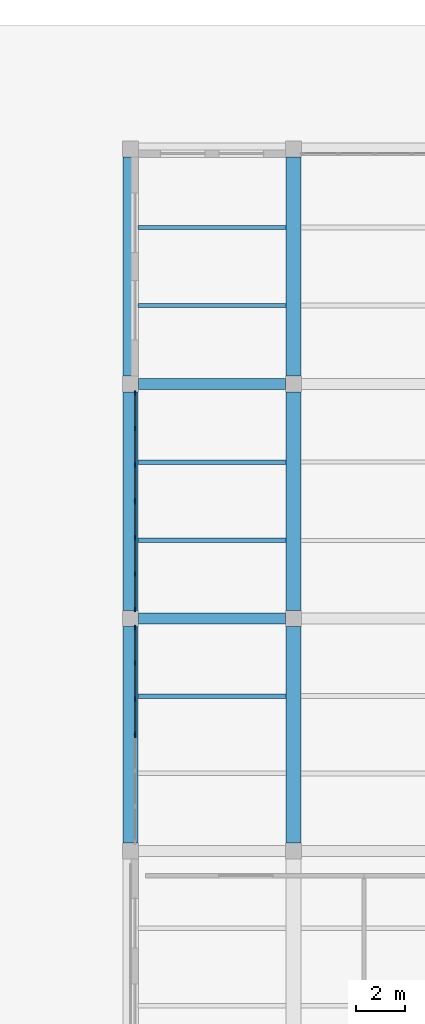
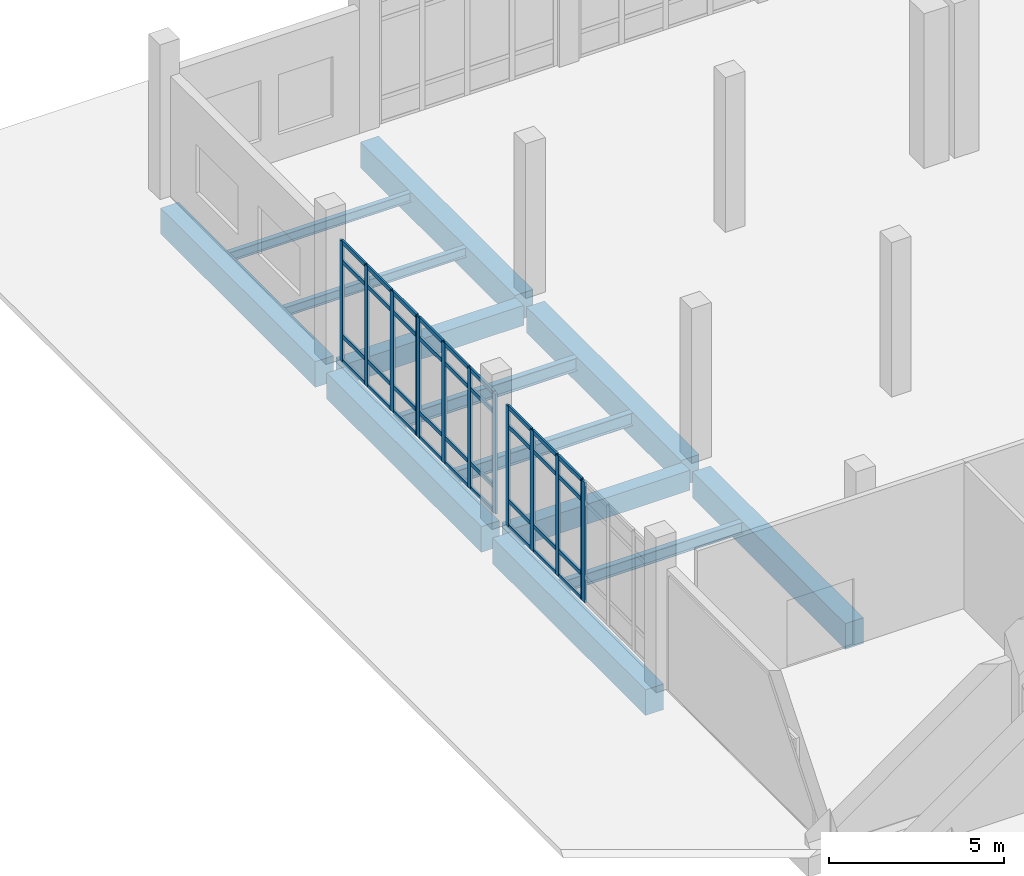
# One storey, part 30 of 79: 49 members, 13 beams, 4 elements without a shape of their own.
"""IFC4 building model written with IfcOpenShell, lengths in metres."""

from ifc_helpers import new_model, si_unit, direction, frame, origin, origin_2d, place, context, subcontext, project, spatial, rectangle, i_section, extrude, material, layer, layer_set, material_profile, profile_set, type_object, element, aggregate, save


model = new_model("IFC4")

# Units and contexts
model_context = context("Model", 3, precision=1e-05, world=origin(), true_north=direction((0.0, 1.0)))
body_context = subcontext(model_context, "Body", "Model", "MODEL_VIEW")
ifc_project = project(units=[si_unit("LENGTHUNIT", "METRE"), si_unit("AREAUNIT", "SQUARE_METRE"), si_unit("VOLUMEUNIT", "CUBIC_METRE"), si_unit("PLANEANGLEUNIT", "RADIAN"), si_unit("MASSUNIT", "GRAM", prefix="KILO")], contexts=[model_context])

# Site, building, storey
site_placement = place(None, origin())
site = spatial("IfcSite", under=ifc_project, at=site_placement, CompositionType="ELEMENT")
building_placement = place(site_placement, origin())
building = spatial("IfcBuilding", under=site, at=building_placement, Name="Kelarvand Opera House", CompositionType="ELEMENT")
storey_placement = place(building_placement, origin())
storey = spatial("IfcBuildingStorey", under=building, at=storey_placement, Name="L00", CompositionType="ELEMENT", Elevation=0.0)

# Curtain wall, member
ifc_material_1 = material(Name="Thermally broken aluminium and low-E glazing", Category="aluminium")
ifc_layer_1 = layer(ifc_material_1, 0.179931640625, Name="Thermally broken aluminium and low-E glazing", Category="aluminium")
ifc_layer_set_1 = layer_set([ifc_layer_1], Name="Thermally broken aluminium and low-E glazing")
curtain_wall_type_1 = type_object("IfcCurtainWallType", Name="Unitised Low-E Curtain Wall 4361x4200 Mod 1450 CWF-38", PredefinedType="USERDEFINED", material=ifc_layer_set_1)
curtain_wall_1_placement = place(storey_placement, origin())
curtain_wall_1 = element("IfcCurtainWall", 1, at=curtain_wall_1_placement, inside=storey, type_object=curtain_wall_type_1, Name="V5 L00 Curtain Wall CWF-38 (170)", ObjectType="UNITISED CURTAIN WALL", PredefinedType="USERDEFINED")
ifc_material_2 = material(Name="Thermally broken anodised aluminium", Category="aluminium")
ifc_material_profile_1 = material_profile(ifc_material_2, rectangle(XDim=0.06494140625, YDim=0.179931640625, at=origin_2d()), Name="ALU MULLION 65x180", Category="aluminium")
ifc_profile_set_1 = profile_set([ifc_material_profile_1], Name="Thermally broken anodised aluminium")
member_type_1 = type_object("IfcMemberType", Name="Curtain Wall Mullion 65x180 Aluminium", PredefinedType="MULLION", material=ifc_profile_set_1)
member_1_placement = place(storey_placement, frame((95.780029296875, 101.263427734375, 0.0), z_axis=(0.0, 0.0, 1.0), x_axis=(-1.0, 0.0, 0.0)))
member_1 = element("IfcMember", 2, at=member_1_placement, type_object=member_type_1, Name="CWF-38 mullion 4", PredefinedType="MULLION", context=body_context, shape_type="SweptSolid", body=[
    extrude(rectangle(XDim=0.06494140625, YDim=0.179931640625, at=origin_2d()), origin(), (0.0, 0.0, 1.0), 4.199951171875),
])
aggregate(curtain_wall_1, [member_1])

# Curtain wall, members
curtain_wall_2_placement = place(storey_placement, origin())
curtain_wall_2 = element("IfcCurtainWall", 3, at=curtain_wall_2_placement, inside=storey, type_object=curtain_wall_type_1, Name="V5 L00 Curtain Wall CWF-38 (171)", ObjectType="UNITISED CURTAIN WALL", PredefinedType="USERDEFINED")
member_2_placement = place(storey_placement, frame((95.780029296875, 101.33251953125, 0.0), z_axis=(0.0, 0.0, 1.0), x_axis=(-1.0, 0.0, 0.0)))
member_2 = element("IfcMember", 4, at=member_2_placement, type_object=member_type_1, Name="CWF-38 mullion 1", PredefinedType="MULLION", context=body_context, shape_type="SweptSolid", body=[
    extrude(rectangle(XDim=0.06494140625, YDim=0.179931640625, at=origin_2d()), origin(), (0.0, 0.0, 1.0), 4.199951171875),
])
member_3_placement = place(storey_placement, frame((95.780029296875, 102.7548828125, 0.0), z_axis=(0.0, 0.0, 1.0), x_axis=(-1.0, 0.0, 0.0)))
member_3 = element("IfcMember", 5, at=member_3_placement, type_object=member_type_1, Name="CWF-38 mullion 2", PredefinedType="MULLION", context=body_context, shape_type="SweptSolid", body=[
    extrude(rectangle(XDim=0.06494140625, YDim=0.179931640625, at=origin_2d()), origin(), (0.0, 0.0, 1.0), 4.199951171875),
])
member_4_placement = place(storey_placement, frame((95.780029296875, 104.2099609375, 0.0), z_axis=(0.0, 0.0, 1.0), x_axis=(-1.0, 0.0, 0.0)))
member_4 = element("IfcMember", 6, at=member_4_placement, type_object=member_type_1, Name="CWF-38 mullion 3", PredefinedType="MULLION", context=body_context, shape_type="SweptSolid", body=[
    extrude(rectangle(XDim=0.06494140625, YDim=0.179931640625, at=origin_2d()), origin(), (0.0, 0.0, 1.0), 4.199951171875),
])
member_5_placement = place(storey_placement, frame((95.780029296875, 105.632568359375, 0.0), z_axis=(0.0, 0.0, 1.0), x_axis=(-1.0, 0.0, 0.0)))
member_5 = element("IfcMember", 7, at=member_5_placement, type_object=member_type_1, Name="CWF-38 mullion 4", PredefinedType="MULLION", context=body_context, shape_type="SweptSolid", body=[
    extrude(rectangle(XDim=0.06494140625, YDim=0.179931640625, at=origin_2d()), origin(), (0.0, 0.0, 1.0), 4.199951171875),
])

ifc_layer_2 = layer(ifc_material_1, 0.179931640625, Name="Thermally broken aluminium and low-E glazing", Category="aluminium")
ifc_layer_set_2 = layer_set([ifc_layer_2], Name="Thermally broken aluminium and low-E glazing")
curtain_wall_type_2 = type_object("IfcCurtainWallType", Name="Unitised Low-E Curtain Wall 4411x4200 Mod 1450 CWF-37", PredefinedType="USERDEFINED", material=ifc_layer_set_2)
curtain_wall_3_placement = place(storey_placement, origin())
curtain_wall_3 = element("IfcCurtainWall", 8, at=curtain_wall_3_placement, inside=storey, type_object=curtain_wall_type_2, Name="V5 L00 Curtain Wall CWF-37 (172)", ObjectType="UNITISED CURTAIN WALL", PredefinedType="USERDEFINED")
member_6_placement = place(storey_placement, frame((95.780029296875, 106.367431640625, 0.0), z_axis=(0.0, 0.0, 1.0), x_axis=(-1.0, 0.0, 0.0)))
member_6 = element("IfcMember", 9, at=member_6_placement, type_object=member_type_1, Name="CWF-37 mullion 1", PredefinedType="MULLION", context=body_context, shape_type="SweptSolid", body=[
    extrude(rectangle(XDim=0.06494140625, YDim=0.179931640625, at=origin_2d()), origin(), (0.0, 0.0, 1.0), 4.199951171875),
])
member_7_placement = place(storey_placement, frame((95.780029296875, 107.805419921875, 0.0), z_axis=(0.0, 0.0, 1.0), x_axis=(-1.0, 0.0, 0.0)))
member_7 = element("IfcMember", 10, at=member_7_placement, type_object=member_type_1, Name="CWF-37 mullion 2", PredefinedType="MULLION", context=body_context, shape_type="SweptSolid", body=[
    extrude(rectangle(XDim=0.06494140625, YDim=0.179931640625, at=origin_2d()), origin(), (0.0, 0.0, 1.0), 4.199951171875),
])
member_8_placement = place(storey_placement, frame((95.780029296875, 109.275634765625, 0.0), z_axis=(0.0, 0.0, 1.0), x_axis=(-1.0, 0.0, 0.0)))
member_8 = element("IfcMember", 11, at=member_8_placement, type_object=member_type_1, Name="CWF-37 mullion 3", PredefinedType="MULLION", context=body_context, shape_type="SweptSolid", body=[
    extrude(rectangle(XDim=0.06494140625, YDim=0.179931640625, at=origin_2d()), origin(), (0.0, 0.0, 1.0), 4.199951171875),
])
member_9_placement = place(storey_placement, frame((95.780029296875, 110.71337890625, 0.0), z_axis=(0.0, 0.0, 1.0), x_axis=(-1.0, 0.0, 0.0)))
member_9 = element("IfcMember", 12, at=member_9_placement, type_object=member_type_1, Name="CWF-37 mullion 4", PredefinedType="MULLION", context=body_context, shape_type="SweptSolid", body=[
    extrude(rectangle(XDim=0.06494140625, YDim=0.179931640625, at=origin_2d()), origin(), (0.0, 0.0, 1.0), 4.199951171875),
])

curtain_wall_4_placement = place(storey_placement, origin())
curtain_wall_4 = element("IfcCurtainWall", 13, at=curtain_wall_4_placement, inside=storey, type_object=curtain_wall_type_2, Name="V5 L00 Curtain Wall CWF-37 (173)", ObjectType="UNITISED CURTAIN WALL", PredefinedType="USERDEFINED")
member_10_placement = place(storey_placement, frame((95.780029296875, 110.782470703125, 0.0), z_axis=(0.0, 0.0, 1.0), x_axis=(-1.0, 0.0, 0.0)))
member_10 = element("IfcMember", 14, at=member_10_placement, type_object=member_type_1, Name="CWF-37 mullion 1", PredefinedType="MULLION", context=body_context, shape_type="SweptSolid", body=[
    extrude(rectangle(XDim=0.06494140625, YDim=0.179931640625, at=origin_2d()), origin(), (0.0, 0.0, 1.0), 4.199951171875),
])
member_11_placement = place(storey_placement, frame((95.780029296875, 112.2216796875, 0.0), z_axis=(0.0, 0.0, 1.0), x_axis=(-1.0, 0.0, 0.0)))
member_11 = element("IfcMember", 15, at=member_11_placement, type_object=member_type_1, Name="CWF-37 mullion 2", PredefinedType="MULLION", context=body_context, shape_type="SweptSolid", body=[
    extrude(rectangle(XDim=0.06494140625, YDim=0.179931640625, at=origin_2d()), origin(), (0.0, 0.0, 1.0), 4.199951171875),
])
member_12_placement = place(storey_placement, frame((95.780029296875, 113.693359375, 0.0), z_axis=(0.0, 0.0, 1.0), x_axis=(-1.0, 0.0, 0.0)))
member_12 = element("IfcMember", 16, at=member_12_placement, type_object=member_type_1, Name="CWF-37 mullion 3", PredefinedType="MULLION", context=body_context, shape_type="SweptSolid", body=[
    extrude(rectangle(XDim=0.06494140625, YDim=0.179931640625, at=origin_2d()), origin(), (0.0, 0.0, 1.0), 4.199951171875),
])
member_13_placement = place(storey_placement, frame((95.780029296875, 115.132568359375, 0.0), z_axis=(0.0, 0.0, 1.0), x_axis=(-1.0, 0.0, 0.0)))
member_13 = element("IfcMember", 17, at=member_13_placement, type_object=member_type_1, Name="CWF-37 mullion 4", PredefinedType="MULLION", context=body_context, shape_type="SweptSolid", body=[
    extrude(rectangle(XDim=0.06494140625, YDim=0.179931640625, at=origin_2d()), origin(), (0.0, 0.0, 1.0), 4.199951171875),
])

# Member
ifc_material_profile_2 = material_profile(ifc_material_2, rectangle(XDim=0.06494140625, YDim=0.139892578125, at=origin_2d()), Name="ALU TRANSOM 65x140", Category="aluminium")
ifc_profile_set_2 = profile_set([ifc_material_profile_2], Name="Thermally broken anodised aluminium")
member_type_2 = type_object("IfcMemberType", Name="Curtain Wall Transom 65x140 Aluminium", PredefinedType="USERDEFINED", material=ifc_profile_set_2)
member_14_placement = place(storey_placement, frame((95.780029296875, 101.364990234375, 0.032470703125), z_axis=(0.0, 1.0, 0.0), x_axis=(-1.0, 0.0, 0.0)))
member_14 = element("IfcMember", 18, at=member_14_placement, type_object=member_type_2, Name="CWF-38 transom 1.1", ObjectType="TRANSOM", PredefinedType="USERDEFINED", context=body_context, shape_type="SweptSolid", body=[
    extrude(rectangle(XDim=0.06494140625, YDim=0.139892578125, at=origin_2d()), origin(), (0.0, 0.0, 1.0), 1.357421875),
])

member_15_placement = place(storey_placement, frame((95.780029296875, 101.364990234375, 0.89990234375), z_axis=(0.0, 1.0, 0.0), x_axis=(-1.0, 0.0, 0.0)))
member_15 = element("IfcMember", 19, at=member_15_placement, type_object=member_type_2, Name="CWF-38 transom 1.2", ObjectType="TRANSOM", PredefinedType="USERDEFINED", context=body_context, shape_type="SweptSolid", body=[
    extrude(rectangle(XDim=0.06494140625, YDim=0.139892578125, at=origin_2d()), origin(), (0.0, 0.0, 1.0), 1.357421875),
])

member_16_placement = place(storey_placement, frame((95.780029296875, 101.364990234375, 3.5), z_axis=(0.0, 1.0, 0.0), x_axis=(-1.0, 0.0, 0.0)))
member_16 = element("IfcMember", 20, at=member_16_placement, type_object=member_type_2, Name="CWF-38 transom 1.3", ObjectType="TRANSOM", PredefinedType="USERDEFINED", context=body_context, shape_type="SweptSolid", body=[
    extrude(rectangle(XDim=0.06494140625, YDim=0.139892578125, at=origin_2d()), origin(), (0.0, 0.0, 1.0), 1.357421875),
])

member_17_placement = place(storey_placement, frame((95.780029296875, 101.364990234375, 4.16748046875), z_axis=(0.0, 1.0, 0.0), x_axis=(-1.0, 0.0, 0.0)))
member_17 = element("IfcMember", 21, at=member_17_placement, type_object=member_type_2, Name="CWF-38 transom 1.4", ObjectType="TRANSOM", PredefinedType="USERDEFINED", context=body_context, shape_type="SweptSolid", body=[
    extrude(rectangle(XDim=0.06494140625, YDim=0.139892578125, at=origin_2d()), origin(), (0.0, 0.0, 1.0), 1.357421875),
])

member_18_placement = place(storey_placement, frame((95.780029296875, 102.78759765625, 0.032470703125), z_axis=(0.0, 1.0, 0.0), x_axis=(-1.0, 0.0, 0.0)))
member_18 = element("IfcMember", 22, at=member_18_placement, type_object=member_type_2, Name="CWF-38 transom 2.1", ObjectType="TRANSOM", PredefinedType="USERDEFINED", context=body_context, shape_type="SweptSolid", body=[
    extrude(rectangle(XDim=0.06494140625, YDim=0.139892578125, at=origin_2d()), origin(), (0.0, 0.0, 1.0), 1.389892578125),
])

member_19_placement = place(storey_placement, frame((95.780029296875, 102.78759765625, 0.89990234375), z_axis=(0.0, 1.0, 0.0), x_axis=(-1.0, 0.0, 0.0)))
member_19 = element("IfcMember", 23, at=member_19_placement, type_object=member_type_2, Name="CWF-38 transom 2.2", ObjectType="TRANSOM", PredefinedType="USERDEFINED", context=body_context, shape_type="SweptSolid", body=[
    extrude(rectangle(XDim=0.06494140625, YDim=0.139892578125, at=origin_2d()), origin(), (0.0, 0.0, 1.0), 1.389892578125),
])

member_20_placement = place(storey_placement, frame((95.780029296875, 102.78759765625, 3.5), z_axis=(0.0, 1.0, 0.0), x_axis=(-1.0, 0.0, 0.0)))
member_20 = element("IfcMember", 24, at=member_20_placement, type_object=member_type_2, Name="CWF-38 transom 2.3", ObjectType="TRANSOM", PredefinedType="USERDEFINED", context=body_context, shape_type="SweptSolid", body=[
    extrude(rectangle(XDim=0.06494140625, YDim=0.139892578125, at=origin_2d()), origin(), (0.0, 0.0, 1.0), 1.389892578125),
])

member_21_placement = place(storey_placement, frame((95.780029296875, 102.78759765625, 4.16748046875), z_axis=(0.0, 1.0, 0.0), x_axis=(-1.0, 0.0, 0.0)))
member_21 = element("IfcMember", 25, at=member_21_placement, type_object=member_type_2, Name="CWF-38 transom 2.4", ObjectType="TRANSOM", PredefinedType="USERDEFINED", context=body_context, shape_type="SweptSolid", body=[
    extrude(rectangle(XDim=0.06494140625, YDim=0.139892578125, at=origin_2d()), origin(), (0.0, 0.0, 1.0), 1.389892578125),
])

member_22_placement = place(storey_placement, frame((95.780029296875, 104.242431640625, 0.032470703125), z_axis=(0.0, 1.0, 0.0), x_axis=(-1.0, 0.0, 0.0)))
member_22 = element("IfcMember", 26, at=member_22_placement, type_object=member_type_2, Name="CWF-38 transom 3.1", ObjectType="TRANSOM", PredefinedType="USERDEFINED", context=body_context, shape_type="SweptSolid", body=[
    extrude(rectangle(XDim=0.06494140625, YDim=0.139892578125, at=origin_2d()), origin(), (0.0, 0.0, 1.0), 1.357666015625),
])

member_23_placement = place(storey_placement, frame((95.780029296875, 104.242431640625, 0.89990234375), z_axis=(0.0, 1.0, 0.0), x_axis=(-1.0, 0.0, 0.0)))
member_23 = element("IfcMember", 27, at=member_23_placement, type_object=member_type_2, Name="CWF-38 transom 3.2", ObjectType="TRANSOM", PredefinedType="USERDEFINED", context=body_context, shape_type="SweptSolid", body=[
    extrude(rectangle(XDim=0.06494140625, YDim=0.139892578125, at=origin_2d()), origin(), (0.0, 0.0, 1.0), 1.357666015625),
])

member_24_placement = place(storey_placement, frame((95.780029296875, 104.242431640625, 3.5), z_axis=(0.0, 1.0, 0.0), x_axis=(-1.0, 0.0, 0.0)))
member_24 = element("IfcMember", 28, at=member_24_placement, type_object=member_type_2, Name="CWF-38 transom 3.3", ObjectType="TRANSOM", PredefinedType="USERDEFINED", context=body_context, shape_type="SweptSolid", body=[
    extrude(rectangle(XDim=0.06494140625, YDim=0.139892578125, at=origin_2d()), origin(), (0.0, 0.0, 1.0), 1.357666015625),
])

member_25_placement = place(storey_placement, frame((95.780029296875, 104.242431640625, 4.16748046875), z_axis=(0.0, 1.0, 0.0), x_axis=(-1.0, 0.0, 0.0)))
member_25 = element("IfcMember", 29, at=member_25_placement, type_object=member_type_2, Name="CWF-38 transom 3.4", ObjectType="TRANSOM", PredefinedType="USERDEFINED", context=body_context, shape_type="SweptSolid", body=[
    extrude(rectangle(XDim=0.06494140625, YDim=0.139892578125, at=origin_2d()), origin(), (0.0, 0.0, 1.0), 1.357666015625),
])

aggregate(curtain_wall_2, [member_2, member_3, member_4, member_5, member_14, member_15, member_16, member_17, member_18, member_19, member_20, member_21, member_22, member_23, member_24, member_25])

member_26_placement = place(storey_placement, frame((95.780029296875, 106.39990234375, 0.032470703125), z_axis=(0.0, 1.0, 0.0), x_axis=(-1.0, 0.0, 0.0)))
member_26 = element("IfcMember", 30, at=member_26_placement, type_object=member_type_2, Name="CWF-37 transom 1.1", ObjectType="TRANSOM", PredefinedType="USERDEFINED", context=body_context, shape_type="SweptSolid", body=[
    extrude(rectangle(XDim=0.06494140625, YDim=0.139892578125, at=origin_2d()), origin(), (0.0, 0.0, 1.0), 1.373046875),
])

member_27_placement = place(storey_placement, frame((95.780029296875, 106.39990234375, 0.89990234375), z_axis=(0.0, 1.0, 0.0), x_axis=(-1.0, 0.0, 0.0)))
member_27 = element("IfcMember", 31, at=member_27_placement, type_object=member_type_2, Name="CWF-37 transom 1.2", ObjectType="TRANSOM", PredefinedType="USERDEFINED", context=body_context, shape_type="SweptSolid", body=[
    extrude(rectangle(XDim=0.06494140625, YDim=0.139892578125, at=origin_2d()), origin(), (0.0, 0.0, 1.0), 1.373046875),
])

member_28_placement = place(storey_placement, frame((95.780029296875, 106.39990234375, 3.5), z_axis=(0.0, 1.0, 0.0), x_axis=(-1.0, 0.0, 0.0)))
member_28 = element("IfcMember", 32, at=member_28_placement, type_object=member_type_2, Name="CWF-37 transom 1.3", ObjectType="TRANSOM", PredefinedType="USERDEFINED", context=body_context, shape_type="SweptSolid", body=[
    extrude(rectangle(XDim=0.06494140625, YDim=0.139892578125, at=origin_2d()), origin(), (0.0, 0.0, 1.0), 1.373046875),
])

member_29_placement = place(storey_placement, frame((95.780029296875, 106.39990234375, 4.16748046875), z_axis=(0.0, 1.0, 0.0), x_axis=(-1.0, 0.0, 0.0)))
member_29 = element("IfcMember", 33, at=member_29_placement, type_object=member_type_2, Name="CWF-37 transom 1.4", ObjectType="TRANSOM", PredefinedType="USERDEFINED", context=body_context, shape_type="SweptSolid", body=[
    extrude(rectangle(XDim=0.06494140625, YDim=0.139892578125, at=origin_2d()), origin(), (0.0, 0.0, 1.0), 1.373046875),
])

member_30_placement = place(storey_placement, frame((95.780029296875, 107.837890625, 0.032470703125), z_axis=(0.0, 1.0, 0.0), x_axis=(-1.0, 0.0, 0.0)))
member_30 = element("IfcMember", 34, at=member_30_placement, type_object=member_type_2, Name="CWF-37 transom 2.1", ObjectType="TRANSOM", PredefinedType="USERDEFINED", context=body_context, shape_type="SweptSolid", body=[
    extrude(rectangle(XDim=0.06494140625, YDim=0.139892578125, at=origin_2d()), origin(), (0.0, 0.0, 1.0), 1.4052734375),
])

member_31_placement = place(storey_placement, frame((95.780029296875, 107.837890625, 0.89990234375), z_axis=(0.0, 1.0, 0.0), x_axis=(-1.0, 0.0, 0.0)))
member_31 = element("IfcMember", 35, at=member_31_placement, type_object=member_type_2, Name="CWF-37 transom 2.2", ObjectType="TRANSOM", PredefinedType="USERDEFINED", context=body_context, shape_type="SweptSolid", body=[
    extrude(rectangle(XDim=0.06494140625, YDim=0.139892578125, at=origin_2d()), origin(), (0.0, 0.0, 1.0), 1.4052734375),
])

member_32_placement = place(storey_placement, frame((95.780029296875, 107.837890625, 3.5), z_axis=(0.0, 1.0, 0.0), x_axis=(-1.0, 0.0, 0.0)))
member_32 = element("IfcMember", 36, at=member_32_placement, type_object=member_type_2, Name="CWF-37 transom 2.3", ObjectType="TRANSOM", PredefinedType="USERDEFINED", context=body_context, shape_type="SweptSolid", body=[
    extrude(rectangle(XDim=0.06494140625, YDim=0.139892578125, at=origin_2d()), origin(), (0.0, 0.0, 1.0), 1.4052734375),
])

member_33_placement = place(storey_placement, frame((95.780029296875, 107.837890625, 4.16748046875), z_axis=(0.0, 1.0, 0.0), x_axis=(-1.0, 0.0, 0.0)))
member_33 = element("IfcMember", 37, at=member_33_placement, type_object=member_type_2, Name="CWF-37 transom 2.4", ObjectType="TRANSOM", PredefinedType="USERDEFINED", context=body_context, shape_type="SweptSolid", body=[
    extrude(rectangle(XDim=0.06494140625, YDim=0.139892578125, at=origin_2d()), origin(), (0.0, 0.0, 1.0), 1.4052734375),
])

member_34_placement = place(storey_placement, frame((95.780029296875, 109.30810546875, 0.032470703125), z_axis=(0.0, 1.0, 0.0), x_axis=(-1.0, 0.0, 0.0)))
member_34 = element("IfcMember", 38, at=member_34_placement, type_object=member_type_2, Name="CWF-37 transom 3.1", ObjectType="TRANSOM", PredefinedType="USERDEFINED", context=body_context, shape_type="SweptSolid", body=[
    extrude(rectangle(XDim=0.06494140625, YDim=0.139892578125, at=origin_2d()), origin(), (0.0, 0.0, 1.0), 1.372802734375),
])

member_35_placement = place(storey_placement, frame((95.780029296875, 109.30810546875, 0.89990234375), z_axis=(0.0, 1.0, 0.0), x_axis=(-1.0, 0.0, 0.0)))
member_35 = element("IfcMember", 39, at=member_35_placement, type_object=member_type_2, Name="CWF-37 transom 3.2", ObjectType="TRANSOM", PredefinedType="USERDEFINED", context=body_context, shape_type="SweptSolid", body=[
    extrude(rectangle(XDim=0.06494140625, YDim=0.139892578125, at=origin_2d()), origin(), (0.0, 0.0, 1.0), 1.372802734375),
])

member_36_placement = place(storey_placement, frame((95.780029296875, 109.30810546875, 3.5), z_axis=(0.0, 1.0, 0.0), x_axis=(-1.0, 0.0, 0.0)))
member_36 = element("IfcMember", 40, at=member_36_placement, type_object=member_type_2, Name="CWF-37 transom 3.3", ObjectType="TRANSOM", PredefinedType="USERDEFINED", context=body_context, shape_type="SweptSolid", body=[
    extrude(rectangle(XDim=0.06494140625, YDim=0.139892578125, at=origin_2d()), origin(), (0.0, 0.0, 1.0), 1.372802734375),
])

member_37_placement = place(storey_placement, frame((95.780029296875, 109.30810546875, 4.16748046875), z_axis=(0.0, 1.0, 0.0), x_axis=(-1.0, 0.0, 0.0)))
member_37 = element("IfcMember", 41, at=member_37_placement, type_object=member_type_2, Name="CWF-37 transom 3.4", ObjectType="TRANSOM", PredefinedType="USERDEFINED", context=body_context, shape_type="SweptSolid", body=[
    extrude(rectangle(XDim=0.06494140625, YDim=0.139892578125, at=origin_2d()), origin(), (0.0, 0.0, 1.0), 1.372802734375),
])

aggregate(curtain_wall_3, [member_6, member_7, member_8, member_9, member_26, member_27, member_28, member_29, member_30, member_31, member_32, member_33, member_34, member_35, member_36, member_37])

member_38_placement = place(storey_placement, frame((95.780029296875, 110.81494140625, 0.032470703125), z_axis=(0.0, 1.0, 0.0), x_axis=(-1.0, 0.0, 0.0)))
member_38 = element("IfcMember", 42, at=member_38_placement, type_object=member_type_2, Name="CWF-37 transom 1.1", ObjectType="TRANSOM", PredefinedType="USERDEFINED", context=body_context, shape_type="SweptSolid", body=[
    extrude(rectangle(XDim=0.06494140625, YDim=0.139892578125, at=origin_2d()), origin(), (0.0, 0.0, 1.0), 1.374267578125),
])

member_39_placement = place(storey_placement, frame((95.780029296875, 110.81494140625, 0.89990234375), z_axis=(0.0, 1.0, 0.0), x_axis=(-1.0, 0.0, 0.0)))
member_39 = element("IfcMember", 43, at=member_39_placement, type_object=member_type_2, Name="CWF-37 transom 1.2", ObjectType="TRANSOM", PredefinedType="USERDEFINED", context=body_context, shape_type="SweptSolid", body=[
    extrude(rectangle(XDim=0.06494140625, YDim=0.139892578125, at=origin_2d()), origin(), (0.0, 0.0, 1.0), 1.374267578125),
])

member_40_placement = place(storey_placement, frame((95.780029296875, 110.81494140625, 3.5), z_axis=(0.0, 1.0, 0.0), x_axis=(-1.0, 0.0, 0.0)))
member_40 = element("IfcMember", 44, at=member_40_placement, type_object=member_type_2, Name="CWF-37 transom 1.3", ObjectType="TRANSOM", PredefinedType="USERDEFINED", context=body_context, shape_type="SweptSolid", body=[
    extrude(rectangle(XDim=0.06494140625, YDim=0.139892578125, at=origin_2d()), origin(), (0.0, 0.0, 1.0), 1.374267578125),
])

member_41_placement = place(storey_placement, frame((95.780029296875, 110.81494140625, 4.16748046875), z_axis=(0.0, 1.0, 0.0), x_axis=(-1.0, 0.0, 0.0)))
member_41 = element("IfcMember", 45, at=member_41_placement, type_object=member_type_2, Name="CWF-37 transom 1.4", ObjectType="TRANSOM", PredefinedType="USERDEFINED", context=body_context, shape_type="SweptSolid", body=[
    extrude(rectangle(XDim=0.06494140625, YDim=0.139892578125, at=origin_2d()), origin(), (0.0, 0.0, 1.0), 1.374267578125),
])

member_42_placement = place(storey_placement, frame((95.780029296875, 112.254150390625, 0.032470703125), z_axis=(0.0, 1.0, 0.0), x_axis=(-1.0, 0.0, 0.0)))
member_42 = element("IfcMember", 46, at=member_42_placement, type_object=member_type_2, Name="CWF-37 transom 2.1", ObjectType="TRANSOM", PredefinedType="USERDEFINED", context=body_context, shape_type="SweptSolid", body=[
    extrude(rectangle(XDim=0.06494140625, YDim=0.139892578125, at=origin_2d()), origin(), (0.0, 0.0, 1.0), 1.40673828125),
])

member_43_placement = place(storey_placement, frame((95.780029296875, 112.254150390625, 0.89990234375), z_axis=(0.0, 1.0, 0.0), x_axis=(-1.0, 0.0, 0.0)))
member_43 = element("IfcMember", 47, at=member_43_placement, type_object=member_type_2, Name="CWF-37 transom 2.2", ObjectType="TRANSOM", PredefinedType="USERDEFINED", context=body_context, shape_type="SweptSolid", body=[
    extrude(rectangle(XDim=0.06494140625, YDim=0.139892578125, at=origin_2d()), origin(), (0.0, 0.0, 1.0), 1.40673828125),
])

member_44_placement = place(storey_placement, frame((95.780029296875, 112.254150390625, 3.5), z_axis=(0.0, 1.0, 0.0), x_axis=(-1.0, 0.0, 0.0)))
member_44 = element("IfcMember", 48, at=member_44_placement, type_object=member_type_2, Name="CWF-37 transom 2.3", ObjectType="TRANSOM", PredefinedType="USERDEFINED", context=body_context, shape_type="SweptSolid", body=[
    extrude(rectangle(XDim=0.06494140625, YDim=0.139892578125, at=origin_2d()), origin(), (0.0, 0.0, 1.0), 1.40673828125),
])

member_45_placement = place(storey_placement, frame((95.780029296875, 112.254150390625, 4.16748046875), z_axis=(0.0, 1.0, 0.0), x_axis=(-1.0, 0.0, 0.0)))
member_45 = element("IfcMember", 49, at=member_45_placement, type_object=member_type_2, Name="CWF-37 transom 2.4", ObjectType="TRANSOM", PredefinedType="USERDEFINED", context=body_context, shape_type="SweptSolid", body=[
    extrude(rectangle(XDim=0.06494140625, YDim=0.139892578125, at=origin_2d()), origin(), (0.0, 0.0, 1.0), 1.40673828125),
])

member_46_placement = place(storey_placement, frame((95.780029296875, 113.725830078125, 0.032470703125), z_axis=(0.0, 1.0, 0.0), x_axis=(-1.0, 0.0, 0.0)))
member_46 = element("IfcMember", 50, at=member_46_placement, type_object=member_type_2, Name="CWF-37 transom 3.1", ObjectType="TRANSOM", PredefinedType="USERDEFINED", context=body_context, shape_type="SweptSolid", body=[
    extrude(rectangle(XDim=0.06494140625, YDim=0.139892578125, at=origin_2d()), origin(), (0.0, 0.0, 1.0), 1.374267578125),
])

member_47_placement = place(storey_placement, frame((95.780029296875, 113.725830078125, 0.89990234375), z_axis=(0.0, 1.0, 0.0), x_axis=(-1.0, 0.0, 0.0)))
member_47 = element("IfcMember", 51, at=member_47_placement, type_object=member_type_2, Name="CWF-37 transom 3.2", ObjectType="TRANSOM", PredefinedType="USERDEFINED", context=body_context, shape_type="SweptSolid", body=[
    extrude(rectangle(XDim=0.06494140625, YDim=0.139892578125, at=origin_2d()), origin(), (0.0, 0.0, 1.0), 1.374267578125),
])

member_48_placement = place(storey_placement, frame((95.780029296875, 113.725830078125, 3.5), z_axis=(0.0, 1.0, 0.0), x_axis=(-1.0, 0.0, 0.0)))
member_48 = element("IfcMember", 52, at=member_48_placement, type_object=member_type_2, Name="CWF-37 transom 3.3", ObjectType="TRANSOM", PredefinedType="USERDEFINED", context=body_context, shape_type="SweptSolid", body=[
    extrude(rectangle(XDim=0.06494140625, YDim=0.139892578125, at=origin_2d()), origin(), (0.0, 0.0, 1.0), 1.374267578125),
])

member_49_placement = place(storey_placement, frame((95.780029296875, 113.725830078125, 4.16748046875), z_axis=(0.0, 1.0, 0.0), x_axis=(-1.0, 0.0, 0.0)))
member_49 = element("IfcMember", 53, at=member_49_placement, type_object=member_type_2, Name="CWF-37 transom 3.4", ObjectType="TRANSOM", PredefinedType="USERDEFINED", context=body_context, shape_type="SweptSolid", body=[
    extrude(rectangle(XDim=0.06494140625, YDim=0.139892578125, at=origin_2d()), origin(), (0.0, 0.0, 1.0), 1.374267578125),
])

aggregate(curtain_wall_4, [member_10, member_11, member_12, member_13, member_38, member_39, member_40, member_41, member_42, member_43, member_44, member_45, member_46, member_47, member_48, member_49])

# Beams
ifc_material_3 = material(Name="Concrete C40/50", Category="concrete")
ifc_material_profile_3 = material_profile(ifc_material_3, rectangle(XDim=0.449951171875, YDim=0.699951171875, at=origin_2d()), Name="RC 450x700", Category="concrete")
ifc_profile_set_3 = profile_set([ifc_material_profile_3], Name="Concrete C40/50")
beam_type_1 = type_object("IfcBeamType", Name="Structural Beam RC 450x700 BM-RC450x700", PredefinedType="BEAM", material=ifc_profile_set_3)
for number, where, z_axis, x_axis, name in (
    (54, (95.925048828125, 106.0, -0.64990234375), (1.0, 0.0, 0.0), (0.0, 1.0, 0.0), "V5 L00 Beam BM-RC450x700"),
    (55, (95.925048828125, 115.5, -0.64990234375), (1.0, 0.0, 0.0), (0.0, 1.0, 0.0), "V5 L00 Beam BM-RC450x700"),
):
    element("IfcBeam", number, at=place(storey_placement, frame(where, z_axis=z_axis, x_axis=x_axis)), inside=storey, type_object=beam_type_1, Name=name, PredefinedType="BEAM", context=body_context, shape_type="SweptSolid", body=[
        extrude(rectangle(XDim=0.449951171875, YDim=0.699951171875, at=origin_2d()), origin(), (0.0, 0.0, 1.0), 5.949951171875),
    ])
ifc_material_profile_4 = material_profile(ifc_material_3, rectangle(XDim=0.60009765625, YDim=0.89990234375, at=origin_2d()), Name="RC 600x900", Category="concrete")
ifc_profile_set_4 = profile_set([ifc_material_profile_4], Name="Concrete C40/50")
beam_type_2 = type_object("IfcBeamType", Name="Structural Beam RC 600x900 BM-RC600x900", PredefinedType="BEAM", material=ifc_profile_set_4)
beam_1_placement = place(storey_placement, frame((102.199951171875, 96.925048828125, -0.75), z_axis=(0.0, 1.0, 0.0), x_axis=(-1.0, 0.0, 0.0)))
element("IfcBeam", 56, at=beam_1_placement, inside=storey, type_object=beam_type_2, Name="V5 L00 Beam BM-RC600x900", PredefinedType="BEAM", context=body_context, shape_type="SweptSolid", body=[
    extrude(rectangle(XDim=0.60009765625, YDim=0.89990234375, at=origin_2d()), origin(), (0.0, 0.0, 1.0), 8.75),
])
for number, where, z_axis, x_axis, name in (
    (57, (102.199951171875, 106.324951171875, -0.75), (0.0, 1.0, 0.0), (-1.0, 0.0, 0.0), "V5 L00 Beam BM-RC600x900"),
    (58, (102.199951171875, 115.824951171875, -0.75), (0.0, 1.0, 0.0), (-1.0, 0.0, 0.0), "V5 L00 Beam BM-RC600x900"),
):
    element("IfcBeam", number, at=place(storey_placement, frame(where, z_axis=z_axis, x_axis=x_axis)), inside=storey, type_object=beam_type_2, Name=name, PredefinedType="BEAM", context=body_context, shape_type="SweptSolid", body=[
        extrude(rectangle(XDim=0.60009765625, YDim=0.89990234375, at=origin_2d()), origin(), (0.0, 0.0, 1.0), 8.85009765625),
    ])
ifc_material_4 = material(Name="Steel S355", Category="steel")
ifc_material_profile_5 = material_profile(ifc_material_4, i_section(OverallWidth=0.159912109375, OverallDepth=0.330078125, WebThickness=0.007568359375, FlangeThickness=0.011474609375, at=origin_2d()), Name="IPE 330", Category="steel")
ifc_profile_set_5 = profile_set([ifc_material_profile_5], Name="Steel S355")
beam_type_3 = type_object("IfcBeamType", Name="Structural Joist IPE 330 JS-IPE330", PredefinedType="JOIST", material=ifc_profile_set_5)
for number, where, z_axis, x_axis, name in (
    (59, (95.89990234375, 118.666748046875, -0.465087890625), (1.0, 0.0, 0.0), (0.0, 1.0, 0.0), "V5 L00 Beam JS-IPE330"),
    (60, (95.89990234375, 121.833251953125, -0.465087890625), (1.0, 0.0, 0.0), (0.0, 1.0, 0.0), "V5 L00 Beam JS-IPE330"),
):
    element("IfcBeam", number, at=place(storey_placement, frame(where, z_axis=z_axis, x_axis=x_axis)), inside=storey, type_object=beam_type_3, Name=name, PredefinedType="JOIST", context=body_context, shape_type="SweptSolid", body=[
        extrude(i_section(OverallWidth=0.159912109375, OverallDepth=0.330078125, WebThickness=0.007568359375, FlangeThickness=0.011474609375, at=origin_2d()), origin(), (0.0, 0.0, 1.0), 6.0),
    ])
ifc_material_profile_6 = material_profile(ifc_material_4, i_section(OverallWidth=0.179931640625, OverallDepth=0.39990234375, WebThickness=0.008544921875, FlangeThickness=0.013427734375, at=origin_2d()), Name="IPE 400", Category="steel")
ifc_profile_set_6 = profile_set([ifc_material_profile_6], Name="Steel S355")
beam_type_4 = type_object("IfcBeamType", Name="Structural Joist IPE 400 JS-IPE400", PredefinedType="JOIST", material=ifc_profile_set_6)
beam_2_placement = place(storey_placement, frame((95.89990234375, 102.86669921875, -0.5), z_axis=(1.0, 0.0, 0.0), x_axis=(0.0, 1.0, 0.0)))
element("IfcBeam", 61, at=beam_2_placement, inside=storey, type_object=beam_type_4, Name="V5 L00 Beam JS-IPE400", PredefinedType="JOIST", context=body_context, shape_type="SweptSolid", body=[
    extrude(i_section(OverallWidth=0.179931640625, OverallDepth=0.39990234375, WebThickness=0.008544921875, FlangeThickness=0.013427734375, at=origin_2d()), origin(), (0.0, 0.0, 1.0), 6.0),
])
ifc_material_profile_7 = material_profile(ifc_material_4, i_section(OverallWidth=0.18994140625, OverallDepth=0.449951171875, WebThickness=0.009521484375, FlangeThickness=0.0146484375, at=origin_2d()), Name="IPE 450", Category="steel")
ifc_profile_set_7 = profile_set([ifc_material_profile_7], Name="Steel S355")
beam_type_5 = type_object("IfcBeamType", Name="Structural Joist IPE 450 JS-IPE450", PredefinedType="JOIST", material=ifc_profile_set_7)
for number, where, z_axis, x_axis, name in (
    (62, (95.89990234375, 109.166748046875, -0.52490234375), (1.0, 0.0, 0.0), (0.0, 1.0, 0.0), "V5 L00 Beam JS-IPE450"),
    (63, (95.89990234375, 112.333251953125, -0.52490234375), (1.0, 0.0, 0.0), (0.0, 1.0, 0.0), "V5 L00 Beam JS-IPE450"),
):
    element("IfcBeam", number, at=place(storey_placement, frame(where, z_axis=z_axis, x_axis=x_axis)), inside=storey, type_object=beam_type_5, Name=name, PredefinedType="JOIST", context=body_context, shape_type="SweptSolid", body=[
        extrude(i_section(OverallWidth=0.18994140625, OverallDepth=0.449951171875, WebThickness=0.009521484375, FlangeThickness=0.0146484375, at=origin_2d()), origin(), (0.0, 0.0, 1.0), 6.0),
    ])
ifc_material_profile_8 = material_profile(ifc_material_3, rectangle(XDim=0.60009765625, YDim=0.89990234375, at=origin_2d()), Name="RC 600x900", Category="concrete")
ifc_profile_set_8 = profile_set([ifc_material_profile_8], Name="Concrete C40/50")
beam_type_6 = type_object("IfcBeamType", Name="Structural Spandrel RC 600x900 SP-RC600x900E", PredefinedType="SPANDREL", material=ifc_profile_set_8)
beam_3_placement = place(storey_placement, frame((95.60009765625, 96.925048828125, -0.75), z_axis=(0.0, 1.0, 0.0), x_axis=(-1.0, 0.0, 0.0)))
element("IfcBeam", 64, at=beam_3_placement, inside=storey, type_object=beam_type_6, Name="V5 L00 Beam SP-RC600x900E", PredefinedType="SPANDREL", context=body_context, shape_type="SweptSolid", body=[
    extrude(rectangle(XDim=0.60009765625, YDim=0.89990234375, at=origin_2d()), origin(), (0.0, 0.0, 1.0), 8.75),
])
for number, where, z_axis, x_axis, name in (
    (65, (95.60009765625, 106.324951171875, -0.75), (0.0, 1.0, 0.0), (-1.0, 0.0, 0.0), "V5 L00 Beam SP-RC600x900E"),
    (66, (95.60009765625, 115.824951171875, -0.75), (0.0, 1.0, 0.0), (-1.0, 0.0, 0.0), "V5 L00 Beam SP-RC600x900E"),
):
    element("IfcBeam", number, at=place(storey_placement, frame(where, z_axis=z_axis, x_axis=x_axis)), inside=storey, type_object=beam_type_6, Name=name, PredefinedType="SPANDREL", context=body_context, shape_type="SweptSolid", body=[
        extrude(rectangle(XDim=0.60009765625, YDim=0.89990234375, at=origin_2d()), origin(), (0.0, 0.0, 1.0), 8.85009765625),
    ])

save(model, "model.ifc")
